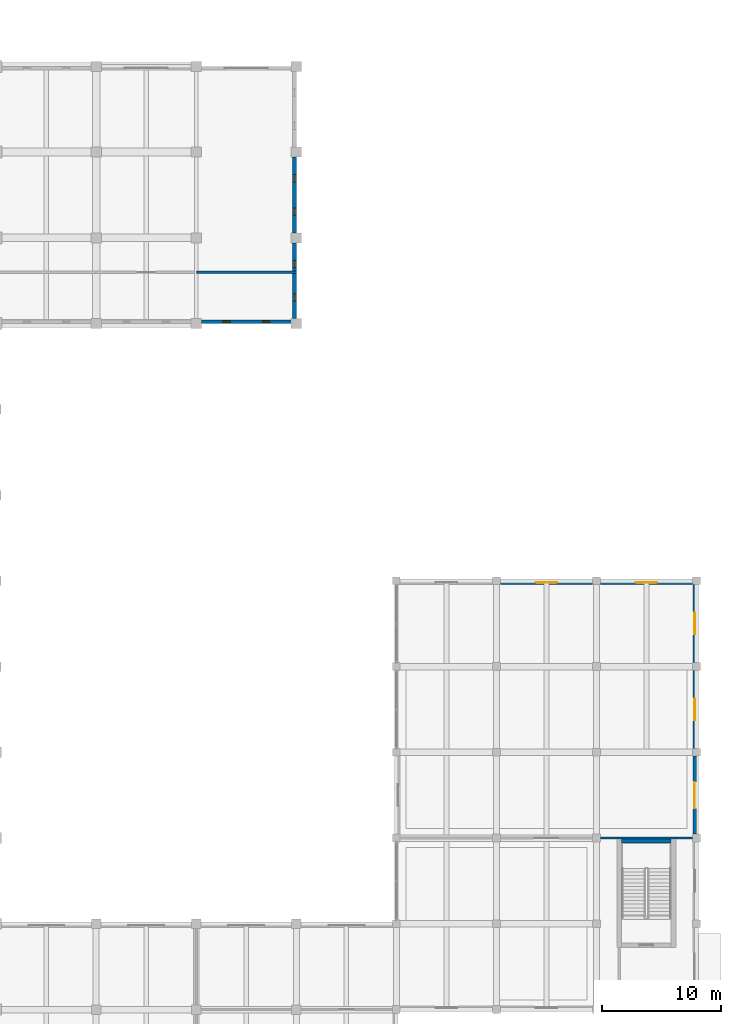
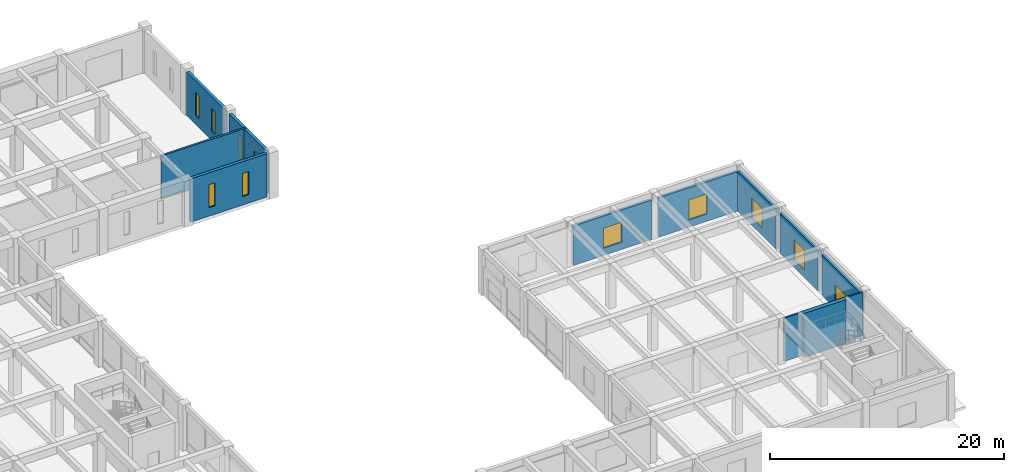
# One storey, part 34 of 49: 11 walls, 10 windows, 1 door, 11 openings.
"""IFC4 building model written with IfcOpenShell, lengths in metres."""

from ifc_helpers import new_model, si_unit, direction, frame, frame_2d, origin, place, context, subcontext, project, spatial, rectangle, extrude, material, layer, layer_set, type_object, element, fill, save


model = new_model("IFC4")

# Units and contexts
model_context = context("Model", 3, precision=1e-05, world=origin(), true_north=direction((0.0, 1.0)))
body_context = subcontext(model_context, "Body", "Model", "MODEL_VIEW")
ifc_project = project(units=[si_unit("LENGTHUNIT", "METRE"), si_unit("AREAUNIT", "SQUARE_METRE"), si_unit("VOLUMEUNIT", "CUBIC_METRE"), si_unit("PLANEANGLEUNIT", "RADIAN"), si_unit("MASSUNIT", "GRAM", prefix="KILO")], contexts=[model_context])

# Site, building, storey
site_placement = place(None, origin())
site = spatial("IfcSite", under=ifc_project, at=site_placement, CompositionType="ELEMENT")
building_placement = place(site_placement, origin())
building = spatial("IfcBuilding", under=site, at=building_placement, Name="Kenerak Square Central Library", CompositionType="ELEMENT")
storey_placement = place(building_placement, origin())
storey = spatial("IfcBuildingStorey", under=building, at=storey_placement, Name="L00", CompositionType="ELEMENT", Elevation=0.0)

# Wall
ifc_material_1 = material(Name="Precast concrete C40/50", Category="concrete")
ifc_layer_1 = layer(ifc_material_1, 0.14990234375)
ifc_layer_set_1 = layer_set([ifc_layer_1], Name="Precast concrete C40/50")
wall_type_1 = type_object("IfcWallType", Name="Acoustic Blockwork Partition IW-150 C40/50", PredefinedType="PARTITIONING", material=ifc_layer_set_1)
wall_1_placement = place(storey_placement, frame((175.675048828125, 45.60009765625, 0.0), z_axis=(0.0, 0.0, 1.0), x_axis=(-1.0, 0.0, 0.0)))
element("IfcWall", 1, at=wall_1_placement, inside=storey, type_object=wall_type_1, Name="Interior Wall IW-L00-10-S1-B1", PredefinedType="PARTITIONING", context=body_context, shape_type="SweptSolid", body=[
    extrude(rectangle(XDim=7.75, YDim=0.14990234375, at=frame_2d((3.875, 0.0))), origin(), (0.0, 0.0, 1.0), 4.52490234375),
])

# Wall, openings, windows
ifc_material_2 = material(Name="Concrete C40/50", Category="concrete")
ifc_layer_2 = layer(ifc_material_2, 0.300048828125)
ifc_layer_set_2 = layer_set([ifc_layer_2], Name="Concrete C40/50")
wall_type_2 = type_object("IfcWallType", Name="Board-Marked Brutalist Facade Wall EW-300 C40/50", PredefinedType="SOLIDWALL", material=ifc_layer_set_2)
wall_2_placement = place(storey_placement, frame((142.25, 102.77490234375, 0.0), z_axis=(0.0, 0.0, 1.0), x_axis=(0.0, -1.0, 0.0)))
wall_2 = element("IfcWall", 2, at=wall_2_placement, inside=storey, type_object=wall_type_2, Name="Exterior Facade Wall L00 0053", PredefinedType="SOLIDWALL", context=body_context, shape_type="SweptSolid", body=[
    extrude(rectangle(XDim=6.349853515625, YDim=0.300048828125, at=frame_2d((3.1748046875, 0.0))), origin(), (0.0, 0.0, 1.0), 4.52490234375),
])
opening_1_placement = place(wall_2_placement, frame((1.47802734375, 0.0, 0.89990234375)))
opening_1 = element("IfcOpeningElement", 3, at=opening_1_placement, cuts=wall_2, Name="Opening W-01", PredefinedType="OPENING", context=body_context, shape_type="SweptSolid", body=[
    extrude(rectangle(XDim=0.60009765625, YDim=2.39990234375, at=frame_2d((0.300048828125, 1.199951171875))), frame((0.0, 0.159912109375, 0.0), z_axis=(0.0, -1.0, 0.0), x_axis=(1.0, 0.0, 0.0)), (0.0, 0.0, 1.0), 0.320068359375),
])
opening_2_placement = place(wall_2_placement, frame((4.27197265625, 0.0, 0.89990234375)))
opening_2 = element("IfcOpeningElement", 4, at=opening_2_placement, cuts=wall_2, Name="Opening W-01", PredefinedType="OPENING", context=body_context, shape_type="SweptSolid", body=[
    extrude(rectangle(XDim=0.60009765625, YDim=2.39990234375, at=frame_2d((0.300048828125, 1.199951171875))), frame((0.0, 0.159912109375, 0.0), z_axis=(0.0, -1.0, 0.0), x_axis=(1.0, 0.0, 0.0)), (0.0, 0.0, 1.0), 0.320068359375),
])
ifc_material_3 = material(Name="Solar-control low-E laminated double glazing", Category="glass")
window_type_1 = type_object("IfcWindowType", Name="UV-Filtered Stack Slot Window W-01 600x2400", PartitioningType="SINGLE_PANEL", PredefinedType="WINDOW", material=ifc_material_3)
window_1_placement = place(opening_1_placement, origin())
window_1 = element("IfcWindow", 5, at=window_1_placement, inside=storey, type_object=window_type_1, Name="Window W-01 L00 0030", OverallHeight=2.39990234375, OverallWidth=0.60009765625, PartitioningType="SINGLE_PANEL", PredefinedType="WINDOW", context=body_context, shape_type="SweptSolid", body=[
    extrude(rectangle(XDim=0.60009765625, YDim=2.39990234375, at=frame_2d((0.300048828125, 1.199951171875))), frame((0.0, 0.030029296875, 0.0), z_axis=(0.0, -1.0, 0.0), x_axis=(1.0, 0.0, 0.0)), (0.0, 0.0, 1.0), 0.06005859375),
])
fill(opening_1, window_1)
window_2_placement = place(opening_2_placement, origin())
window_2 = element("IfcWindow", 6, at=window_2_placement, inside=storey, type_object=window_type_1, Name="Window W-01 L00 0031", OverallHeight=2.39990234375, OverallWidth=0.60009765625, PartitioningType="SINGLE_PANEL", PredefinedType="WINDOW", context=body_context, shape_type="SweptSolid", body=[
    extrude(rectangle(XDim=0.60009765625, YDim=2.39990234375, at=frame_2d((0.300048828125, 1.199951171875))), frame((0.0, 0.030029296875, 0.0), z_axis=(0.0, -1.0, 0.0), x_axis=(1.0, 0.0, 0.0)), (0.0, 0.0, 1.0), 0.06005859375),
])
fill(opening_2, window_2)

wall_3_placement = place(storey_placement, frame((142.25, 95.574951171875, 0.0), z_axis=(0.0, 0.0, 1.0), x_axis=(0.0, -1.0, 0.0)))
wall_3 = element("IfcWall", 7, at=wall_3_placement, inside=storey, type_object=wall_type_2, Name="Exterior Facade Wall L00 0054", PredefinedType="SOLIDWALL", context=body_context, shape_type="SweptSolid", body=[
    extrude(rectangle(XDim=6.349853515625, YDim=0.300048828125, at=frame_2d((3.1748046875, 0.0))), origin(), (0.0, 0.0, 1.0), 4.52490234375),
])
opening_3_placement = place(wall_3_placement, frame((1.47802734375, 0.0, 0.89990234375)))
opening_3 = element("IfcOpeningElement", 8, at=opening_3_placement, cuts=wall_3, Name="Opening W-01", PredefinedType="OPENING", context=body_context, shape_type="SweptSolid", body=[
    extrude(rectangle(XDim=0.60009765625, YDim=2.39990234375, at=frame_2d((0.300048828125, 1.199951171875))), frame((0.0, 0.159912109375, 0.0), z_axis=(0.0, -1.0, 0.0), x_axis=(1.0, 0.0, 0.0)), (0.0, 0.0, 1.0), 0.320068359375),
])
opening_4_placement = place(wall_3_placement, frame((4.27197265625, 0.0, 0.89990234375)))
opening_4 = element("IfcOpeningElement", 9, at=opening_4_placement, cuts=wall_3, Name="Opening W-01", PredefinedType="OPENING", context=body_context, shape_type="SweptSolid", body=[
    extrude(rectangle(XDim=0.60009765625, YDim=2.39990234375, at=frame_2d((0.300048828125, 1.199951171875))), frame((0.0, 0.159912109375, 0.0), z_axis=(0.0, -1.0, 0.0), x_axis=(1.0, 0.0, 0.0)), (0.0, 0.0, 1.0), 0.320068359375),
])
window_3_placement = place(opening_3_placement, origin())
window_3 = element("IfcWindow", 10, at=window_3_placement, inside=storey, type_object=window_type_1, Name="Window W-01 L00 0032", OverallHeight=2.39990234375, OverallWidth=0.60009765625, PartitioningType="SINGLE_PANEL", PredefinedType="WINDOW", context=body_context, shape_type="SweptSolid", body=[
    extrude(rectangle(XDim=0.60009765625, YDim=2.39990234375, at=frame_2d((0.300048828125, 1.199951171875))), frame((0.0, 0.030029296875, 0.0), z_axis=(0.0, -1.0, 0.0), x_axis=(1.0, 0.0, 0.0)), (0.0, 0.0, 1.0), 0.06005859375),
])
fill(opening_3, window_3)
window_4_placement = place(opening_4_placement, origin())
window_4 = element("IfcWindow", 11, at=window_4_placement, inside=storey, type_object=window_type_1, Name="Window W-01 L00 0033", OverallHeight=2.39990234375, OverallWidth=0.60009765625, PartitioningType="SINGLE_PANEL", PredefinedType="WINDOW", context=body_context, shape_type="SweptSolid", body=[
    extrude(rectangle(XDim=0.60009765625, YDim=2.39990234375, at=frame_2d((0.300048828125, 1.199951171875))), frame((0.0, 0.030029296875, 0.0), z_axis=(0.0, -1.0, 0.0), x_axis=(1.0, 0.0, 0.0)), (0.0, 0.0, 1.0), 0.06005859375),
])
fill(opening_4, window_4)

wall_4_placement = place(storey_placement, frame((141.97509765625, 88.949951171875, 0.0), z_axis=(0.0, 0.0, 1.0), x_axis=(-1.0, 0.0, 0.0)))
wall_4 = element("IfcWall", 12, at=wall_4_placement, inside=storey, type_object=wall_type_2, Name="Exterior Facade Wall L00 0055", PredefinedType="SOLIDWALL", context=body_context, shape_type="SweptSolid", body=[
    extrude(rectangle(XDim=7.550048828125, YDim=0.300048828125, at=frame_2d((3.77490234375, 0.0))), origin(), (0.0, 0.0, 1.0), 4.52490234375),
])
opening_5_placement = place(wall_4_placement, frame((1.81396484375, 0.0, 0.89990234375)))
opening_5 = element("IfcOpeningElement", 13, at=opening_5_placement, cuts=wall_4, Name="Opening W-01", PredefinedType="OPENING", context=body_context, shape_type="SweptSolid", body=[
    extrude(rectangle(XDim=0.60009765625, YDim=2.39990234375, at=frame_2d((0.300048828125, 1.199951171875))), frame((0.0, 0.159912109375, 0.0), z_axis=(0.0, -1.0, 0.0), x_axis=(1.0, 0.0, 0.0)), (0.0, 0.0, 1.0), 0.320068359375),
])
opening_6_placement = place(wall_4_placement, frame((5.135986328125, 0.0, 0.89990234375)))
opening_6 = element("IfcOpeningElement", 14, at=opening_6_placement, cuts=wall_4, Name="Opening W-01", PredefinedType="OPENING", context=body_context, shape_type="SweptSolid", body=[
    extrude(rectangle(XDim=0.60009765625, YDim=2.39990234375, at=frame_2d((0.300048828125, 1.199951171875))), frame((0.0, 0.159912109375, 0.0), z_axis=(0.0, -1.0, 0.0), x_axis=(1.0, 0.0, 0.0)), (0.0, 0.0, 1.0), 0.320068359375),
])
window_5_placement = place(opening_5_placement, origin())
window_5 = element("IfcWindow", 15, at=window_5_placement, inside=storey, type_object=window_type_1, Name="Window W-01 L00 0034", OverallHeight=2.39990234375, OverallWidth=0.60009765625, PartitioningType="SINGLE_PANEL", PredefinedType="WINDOW", context=body_context, shape_type="SweptSolid", body=[
    extrude(rectangle(XDim=0.60009765625, YDim=2.39990234375, at=frame_2d((0.300048828125, 1.199951171875))), frame((0.0, 0.030029296875, 0.0), z_axis=(0.0, -1.0, 0.0), x_axis=(1.0, 0.0, 0.0)), (0.0, 0.0, 1.0), 0.06005859375),
])
fill(opening_5, window_5)
window_6_placement = place(opening_6_placement, origin())
window_6 = element("IfcWindow", 16, at=window_6_placement, inside=storey, type_object=window_type_1, Name="Window W-01 L00 0035", OverallHeight=2.39990234375, OverallWidth=0.60009765625, PartitioningType="SINGLE_PANEL", PredefinedType="WINDOW", context=body_context, shape_type="SweptSolid", body=[
    extrude(rectangle(XDim=0.60009765625, YDim=2.39990234375, at=frame_2d((0.300048828125, 1.199951171875))), frame((0.0, 0.030029296875, 0.0), z_axis=(0.0, -1.0, 0.0), x_axis=(1.0, 0.0, 0.0)), (0.0, 0.0, 1.0), 0.06005859375),
])
fill(opening_6, window_6)

# Wall, opening, window
wall_5_placement = place(storey_placement, frame((159.52490234375, 67.050048828125, 0.0), z_axis=(0.0, 0.0, 1.0), x_axis=(1.0, 0.0, 0.0)))
wall_5 = element("IfcWall", 17, at=wall_5_placement, inside=storey, type_object=wall_type_2, Name="Exterior Facade Wall L00 0064", PredefinedType="SOLIDWALL", context=body_context, shape_type="SweptSolid", body=[
    extrude(rectangle(XDim=7.75, YDim=0.300048828125, at=frame_2d((3.875, 0.0))), origin(), (0.0, 0.0, 1.0), 4.10009765625),
])
opening_7_placement = place(wall_5_placement, frame((2.97509765625, 0.0, 0.75)))
opening_7 = element("IfcOpeningElement", 18, at=opening_7_placement, cuts=wall_5, Name="Opening W-09", PredefinedType="OPENING", context=body_context, shape_type="SweptSolid", body=[
    extrude(rectangle(XDim=1.800048828125, YDim=2.10009765625, at=frame_2d((0.89990234375, 1.050048828125))), frame((0.0, 0.159912109375, 0.0), z_axis=(0.0, -1.0, 0.0), x_axis=(1.0, 0.0, 0.0)), (0.0, 0.0, 1.0), 0.320068359375),
])
window_type_2 = type_object("IfcWindowType", Name="Children Bay Picture Window W-09 1800x2100", PartitioningType="SINGLE_PANEL", PredefinedType="WINDOW", material=ifc_material_3)
window_7_placement = place(opening_7_placement, origin())
window_7 = element("IfcWindow", 19, at=window_7_placement, inside=storey, type_object=window_type_2, Name="Window W-09 L00 0046", OverallHeight=2.10009765625, OverallWidth=1.800048828125, PartitioningType="SINGLE_PANEL", PredefinedType="WINDOW", context=body_context, shape_type="SweptSolid", body=[
    extrude(rectangle(XDim=1.800048828125, YDim=2.10009765625, at=frame_2d((0.89990234375, 1.050048828125))), frame((0.0, 0.030029296875, 0.0), z_axis=(0.0, -1.0, 0.0), x_axis=(1.0, 0.0, 0.0)), (0.0, 0.0, 1.0), 0.06005859375),
])
fill(opening_7, window_7)

wall_6_placement = place(storey_placement, frame((167.925048828125, 67.050048828125, 0.0), z_axis=(0.0, 0.0, 1.0), x_axis=(1.0, 0.0, 0.0)))
wall_6 = element("IfcWall", 20, at=wall_6_placement, inside=storey, type_object=wall_type_2, Name="Exterior Facade Wall L00 0065", PredefinedType="SOLIDWALL", context=body_context, shape_type="SweptSolid", body=[
    extrude(rectangle(XDim=7.75, YDim=0.300048828125, at=frame_2d((3.875, 0.0))), origin(), (0.0, 0.0, 1.0), 4.10009765625),
])
opening_8_placement = place(wall_6_placement, frame((2.97509765625, 0.0, 0.75)))
opening_8 = element("IfcOpeningElement", 21, at=opening_8_placement, cuts=wall_6, Name="Opening W-09", PredefinedType="OPENING", context=body_context, shape_type="SweptSolid", body=[
    extrude(rectangle(XDim=1.800048828125, YDim=2.10009765625, at=frame_2d((0.89990234375, 1.050048828125))), frame((0.0, 0.159912109375, 0.0), z_axis=(0.0, -1.0, 0.0), x_axis=(1.0, 0.0, 0.0)), (0.0, 0.0, 1.0), 0.320068359375),
])
window_8_placement = place(opening_8_placement, origin())
window_8 = element("IfcWindow", 22, at=window_8_placement, inside=storey, type_object=window_type_2, Name="Window W-09 L00 0047", OverallHeight=2.10009765625, OverallWidth=1.800048828125, PartitioningType="SINGLE_PANEL", PredefinedType="WINDOW", context=body_context, shape_type="SweptSolid", body=[
    extrude(rectangle(XDim=1.800048828125, YDim=2.10009765625, at=frame_2d((0.89990234375, 1.050048828125))), frame((0.0, 0.030029296875, 0.0), z_axis=(0.0, -1.0, 0.0), x_axis=(1.0, 0.0, 0.0)), (0.0, 0.0, 1.0), 0.06005859375),
])
fill(opening_8, window_8)

wall_7_placement = place(storey_placement, frame((175.85009765625, 66.875, 0.0), z_axis=(0.0, 0.0, 1.0), x_axis=(0.0, -1.0, 0.0)))
wall_7 = element("IfcWall", 23, at=wall_7_placement, inside=storey, type_object=wall_type_2, Name="Exterior Facade Wall L00 0066", PredefinedType="SOLIDWALL", context=body_context, shape_type="SweptSolid", body=[
    extrude(rectangle(XDim=6.550048828125, YDim=0.300048828125, at=frame_2d((3.27490234375, 0.0))), origin(), (0.0, 0.0, 1.0), 4.199951171875),
])
opening_9_placement = place(wall_7_placement, frame((2.375, 0.0, 0.75)))
opening_9 = element("IfcOpeningElement", 24, at=opening_9_placement, cuts=wall_7, Name="Opening W-09", PredefinedType="OPENING", context=body_context, shape_type="SweptSolid", body=[
    extrude(rectangle(XDim=1.800048828125, YDim=2.10009765625, at=frame_2d((0.89990234375, 1.050048828125))), frame((0.0, 0.159912109375, 0.0), z_axis=(0.0, -1.0, 0.0), x_axis=(1.0, 0.0, 0.0)), (0.0, 0.0, 1.0), 0.320068359375),
])
window_9_placement = place(opening_9_placement, origin())
window_9 = element("IfcWindow", 25, at=window_9_placement, inside=storey, type_object=window_type_2, Name="Window W-09 L00 0048", OverallHeight=2.10009765625, OverallWidth=1.800048828125, PartitioningType="SINGLE_PANEL", PredefinedType="WINDOW", context=body_context, shape_type="SweptSolid", body=[
    extrude(rectangle(XDim=1.800048828125, YDim=2.10009765625, at=frame_2d((0.89990234375, 1.050048828125))), frame((0.0, 0.030029296875, 0.0), z_axis=(0.0, -1.0, 0.0), x_axis=(1.0, 0.0, 0.0)), (0.0, 0.0, 1.0), 0.06005859375),
])
fill(opening_9, window_9)

wall_8_placement = place(storey_placement, frame((175.85009765625, 59.675048828125, 0.0), z_axis=(0.0, 0.0, 1.0), x_axis=(0.0, -1.0, 0.0)))
wall_8 = element("IfcWall", 26, at=wall_8_placement, inside=storey, type_object=wall_type_2, Name="Exterior Facade Wall L00 0067", PredefinedType="SOLIDWALL", context=body_context, shape_type="SweptSolid", body=[
    extrude(rectangle(XDim=6.550048828125, YDim=0.300048828125, at=frame_2d((3.27490234375, 0.0))), origin(), (0.0, 0.0, 1.0), 4.199951171875),
])
opening_10_placement = place(wall_8_placement, frame((2.375, 0.0, 0.75)))
opening_10 = element("IfcOpeningElement", 27, at=opening_10_placement, cuts=wall_8, Name="Opening W-09", PredefinedType="OPENING", context=body_context, shape_type="SweptSolid", body=[
    extrude(rectangle(XDim=1.800048828125, YDim=2.10009765625, at=frame_2d((0.89990234375, 1.050048828125))), frame((0.0, 0.159912109375, 0.0), z_axis=(0.0, -1.0, 0.0), x_axis=(1.0, 0.0, 0.0)), (0.0, 0.0, 1.0), 0.320068359375),
])
window_10_placement = place(opening_10_placement, origin())
window_10 = element("IfcWindow", 28, at=window_10_placement, inside=storey, type_object=window_type_2, Name="Window W-09 L00 0049", OverallHeight=2.10009765625, OverallWidth=1.800048828125, PartitioningType="SINGLE_PANEL", PredefinedType="WINDOW", context=body_context, shape_type="SweptSolid", body=[
    extrude(rectangle(XDim=1.800048828125, YDim=2.10009765625, at=frame_2d((0.89990234375, 1.050048828125))), frame((0.0, 0.030029296875, 0.0), z_axis=(0.0, -1.0, 0.0), x_axis=(1.0, 0.0, 0.0)), (0.0, 0.0, 1.0), 0.06005859375),
])
fill(opening_10, window_10)

# Wall, opening, door
wall_9_placement = place(storey_placement, frame((175.85009765625, 52.47509765625, 0.0), z_axis=(0.0, 0.0, 1.0), x_axis=(0.0, -1.0, 0.0)))
wall_9 = element("IfcWall", 29, at=wall_9_placement, inside=storey, type_object=wall_type_2, Name="Exterior Facade Wall L00 0068", PredefinedType="SOLIDWALL", context=body_context, shape_type="SweptSolid", body=[
    extrude(rectangle(XDim=6.550048828125, YDim=0.300048828125, at=frame_2d((3.27490234375, 0.0))), origin(), (0.0, 0.0, 1.0), 4.199951171875),
])
opening_11_placement = place(wall_9_placement, frame((2.175048828125, 0.0, 0.0)))
opening_11 = element("IfcOpeningElement", 30, at=opening_11_placement, cuts=wall_9, Name="Opening ED-03", PredefinedType="OPENING", context=body_context, shape_type="SweptSolid", body=[
    extrude(rectangle(XDim=2.199951171875, YDim=2.39990234375, at=frame_2d((1.10009765625, 1.199951171875))), frame((0.0, 0.159912109375, 0.0), z_axis=(0.0, -1.0, 0.0), x_axis=(1.0, 0.0, 0.0)), (0.0, 0.0, 1.0), 0.320068359375),
])
ifc_material_4 = material(Name="Anodised aluminium and laminated glass", Category="aluminium")
door_type = type_object("IfcDoorType", Name="Auditorium Foyer Double Exit Door ED-2200x2400", OperationType="NOTDEFINED", PredefinedType="DOOR", material=ifc_material_4)
door_placement = place(opening_11_placement, origin())
door = element("IfcDoor", 31, at=door_placement, inside=storey, type_object=door_type, Name="Exterior Entrance Door L00 006", OperationType="DOUBLE_DOOR_SINGLE_SWING", OverallHeight=2.39990234375, OverallWidth=2.199951171875, PredefinedType="DOOR", context=body_context, shape_type="SweptSolid", body=[
    extrude(rectangle(XDim=2.199951171875, YDim=2.39990234375, at=frame_2d((1.10009765625, 1.199951171875))), frame((0.0, 0.02490234375, 0.0), z_axis=(0.0, -1.0, 0.0), x_axis=(1.0, 0.0, 0.0)), (0.0, 0.0, 1.0), 0.050048828125),
])
fill(opening_11, door)

# Walls
ifc_layer_3 = layer(ifc_material_2, 0.39990234375)
ifc_layer_set_3 = layer_set([ifc_layer_3], Name="Concrete C40/50")
wall_type_3 = type_object("IfcWallType", Name="Core Shear Wall CW-400 C40/50", PredefinedType="SHEAR", material=ifc_layer_set_3)
wall_10_placement = place(storey_placement, frame((169.719970703125, 45.39990234375, 0.0), z_axis=(0.0, 0.0, 1.0), x_axis=(1.0, 0.0, 0.0)))
element("IfcWall", 32, at=wall_10_placement, inside=storey, type_object=wall_type_3, Name="Core Wall CW-C7 L00 North", PredefinedType="SHEAR", context=body_context, shape_type="SweptSolid", body=[
    extrude(rectangle(XDim=4.159912109375, YDim=0.39990234375, at=frame_2d((2.080078125, 0.0))), origin(), (0.0, 0.0, 1.0), 4.574951171875),
])
ifc_layer_4 = layer(ifc_material_1, 0.199951171875)
ifc_layer_set_4 = layer_set([ifc_layer_4], Name="Precast concrete C40/50")
wall_type_4 = type_object("IfcWallType", Name="Protected Corridor Fire Wall IW-200 C40/50", PredefinedType="PARTITIONING", material=ifc_layer_set_4)
wall_11_placement = place(storey_placement, frame((134.0, 93.10009765625, 0.0), z_axis=(0.0, 0.0, 1.0), x_axis=(1.0, 0.0, 0.0)))
element("IfcWall", 33, at=wall_11_placement, inside=storey, type_object=wall_type_4, Name="Interior Wall IW-L00-15-N2-B3", PredefinedType="PARTITIONING", context=body_context, shape_type="SweptSolid", body=[
    extrude(rectangle(XDim=8.39990234375, YDim=0.199951171875, at=frame_2d((4.199951171875, 0.0))), origin(), (0.0, 0.0, 1.0), 4.52490234375),
])

save(model, "model.ifc")
